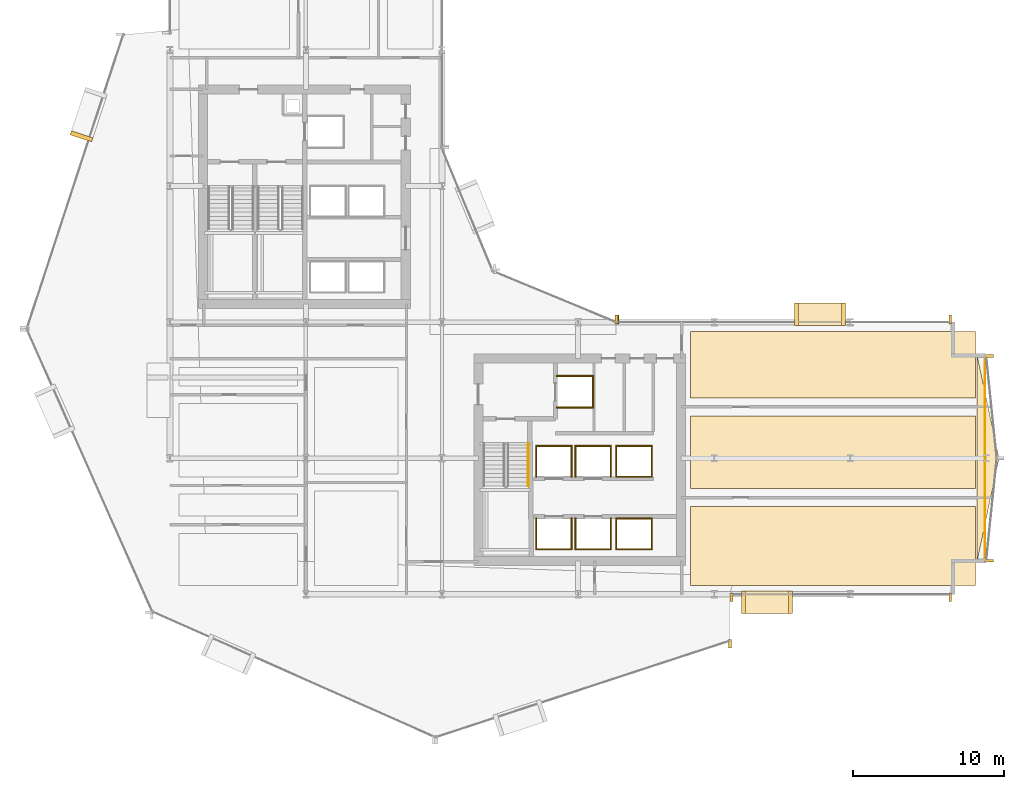
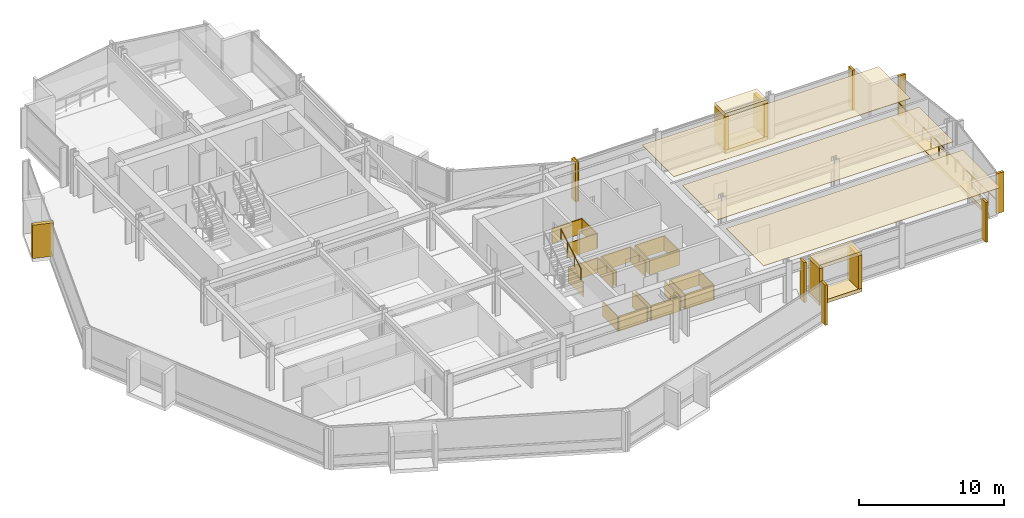
# One storey, part 32 of 34: 44 coverings, 2 railings.
"""IFC4 building model written with IfcOpenShell, lengths in metres."""

from ifc_helpers import new_model, si_unit, direction, frame, origin, origin_2d, place, context, subcontext, project, spatial, polyline, rectangle, circle, outline, extrude, material, layer, layer_set, type_object, element, save


model = new_model("IFC4")

# Units and contexts
model_context = context("Model", 3, precision=1e-05, world=origin(), true_north=direction((0.0, 1.0)))
body_context = subcontext(model_context, "Body", "Model", "MODEL_VIEW")
ifc_project = project(units=[si_unit("LENGTHUNIT", "METRE"), si_unit("AREAUNIT", "SQUARE_METRE"), si_unit("VOLUMEUNIT", "CUBIC_METRE"), si_unit("PLANEANGLEUNIT", "RADIAN"), si_unit("MASSUNIT", "GRAM", prefix="KILO")], contexts=[model_context])

# Site, building, storey
site_placement = place(None, origin())
site = spatial("IfcSite", under=ifc_project, at=site_placement, CompositionType="ELEMENT")
building_placement = place(site_placement, origin())
building = spatial("IfcBuilding", under=site, at=building_placement, Name="Solvaryn Broadcast Tower", CompositionType="ELEMENT")
storey_placement = place(building_placement, frame((0.0, 0.0, 96.5)))
storey = spatial("IfcBuildingStorey", under=building, at=storey_placement, Name="L23", CompositionType="ELEMENT", Elevation=96.5)

# Coverings
ifc_material_1 = material(Name="Micro-Perforated Acoustic Gypsum Ceiling", Category="concrete")
ifc_layer_1 = layer(ifc_material_1, 0.0400390625)
ifc_layer_set_1 = layer_set([ifc_layer_1], Name="CV-CEIL-ACOUSTIC")
covering_type_1 = type_object("IfcCoveringType", Name="CV-CEIL-ACOUSTIC", PredefinedType="CEILING", material=ifc_layer_set_1)
covering_1_placement = place(storey_placement, frame((0.0, 0.0, 3.330078125)))
element("IfcCovering", 1, at=covering_1_placement, inside=storey, type_object=covering_type_1, Name="L23 Room Acoustic Ceiling 10", PredefinedType="CEILING", context=body_context, shape_type="SweptSolid", body=[
    extrude(outline(polyline([(43.449951171875, 9.60009765625), (62.300048828125, 9.60009765625), (62.300048828125, 14.800048828125), (43.449951171875, 14.800048828125), (43.449951171875, 9.60009765625)])), origin(), (0.0, 0.0, 1.0), 0.0400390625),
])
covering_2_placement = place(storey_placement, frame((0.0, 0.0, 3.330078125)))
element("IfcCovering", 2, at=covering_2_placement, inside=storey, type_object=covering_type_1, Name="L23 Room Acoustic Ceiling 11", PredefinedType="CEILING", context=body_context, shape_type="SweptSolid", body=[
    extrude(outline(polyline([(43.449951171875, 16.0), (62.300048828125, 16.0), (62.300048828125, 20.800048828125), (43.449951171875, 20.800048828125), (43.449951171875, 16.0)])), origin(), (0.0, 0.0, 1.0), 0.0400390625),
])
covering_3_placement = place(storey_placement, frame((0.0, 0.0, 3.330078125)))
element("IfcCovering", 3, at=covering_3_placement, inside=storey, type_object=covering_type_1, Name="L23 Room Acoustic Ceiling 12", PredefinedType="CEILING", context=body_context, shape_type="SweptSolid", body=[
    extrude(outline(polyline([(43.449951171875, 22.0), (62.300048828125, 22.0), (62.300048828125, 26.39990234375), (43.449951171875, 26.39990234375), (43.449951171875, 22.0)])), origin(), (0.0, 0.0, 1.0), 0.0400390625),
])
ifc_material_2 = material(Name="Fire-Rated Gypsum Shaftwall Liner", Category="concrete")
ifc_layer_2 = layer(ifc_material_2, 0.080078125)
ifc_layer_set_2 = layer_set([ifc_layer_2], Name="CV-SHAFT-LINER")
covering_type_2 = type_object("IfcCoveringType", Name="CV-SHAFT-LINER", PredefinedType="CLADDING", material=ifc_layer_set_2)
for number, where, z_axis, x_axis, name in (
    (4, (35.800048828125, 23.43994140625, 0.0), (0.0, 0.0, 1.0), (1.0, 0.0, 0.0), "L23 FL2 Hoistway Shaft Liner North"),
    (5, (35.800048828125, 21.360107421875, 0.0), (0.0, 0.0, 1.0), (1.0, 0.0, 0.0), "L23 FL2 Hoistway Shaft Liner South"),
):
    element("IfcCovering", number, at=place(storey_placement, frame(where, z_axis=z_axis, x_axis=x_axis)), inside=storey, type_object=covering_type_2, Name=name, PredefinedType="CLADDING", context=body_context, shape_type="SweptSolid", body=[
        extrude(rectangle(XDim=2.4599609375, YDim=0.080078125, at=origin_2d()), origin(), (0.0, 0.0, 1.0), 1.25),
    ])
covering_4_placement = place(storey_placement, frame((36.989990234375, 22.39990234375, 0.0), z_axis=(0.0, 0.0, 1.0), x_axis=(1.0, 0.0, 0.0)))
element("IfcCovering", 6, at=covering_4_placement, inside=storey, type_object=covering_type_2, Name="L23 FL2 Hoistway Shaft Liner East", PredefinedType="CLADDING", context=body_context, shape_type="SweptSolid", body=[
    extrude(rectangle(XDim=0.080078125, YDim=2.159912109375, at=origin_2d()), origin(), (0.0, 0.0, 1.0), 1.25),
])
covering_5_placement = place(storey_placement, frame((34.39990234375, 11.985107421875, 0.0), z_axis=(0.0, 0.0, 1.0), x_axis=(1.0, 0.0, 0.0)))
element("IfcCovering", 7, at=covering_5_placement, inside=storey, type_object=covering_type_2, Name="L23 PL1 Hoistway Shaft Liner South", PredefinedType="CLADDING", context=body_context, shape_type="SweptSolid", body=[
    extrude(rectangle(XDim=2.409912109375, YDim=0.080078125, at=origin_2d()), origin(), (0.0, 0.0, 1.0), 1.25),
])
for number, where, z_axis, x_axis, name in (
    (8, (35.56494140625, 13.0, 0.0), (0.0, 0.0, 1.0), (1.0, 0.0, 0.0), "L23 PL1 Hoistway Shaft Liner East"),
    (9, (33.235107421875, 13.0, 0.0), (0.0, 0.0, 1.0), (1.0, 0.0, 0.0), "L23 PL1 Hoistway Shaft Liner West"),
):
    element("IfcCovering", number, at=place(storey_placement, frame(where, z_axis=z_axis, x_axis=x_axis)), inside=storey, type_object=covering_type_2, Name=name, PredefinedType="CLADDING", context=body_context, shape_type="SweptSolid", body=[
        extrude(rectangle(XDim=0.080078125, YDim=2.110107421875, at=origin_2d()), origin(), (0.0, 0.0, 1.0), 1.25),
    ])
covering_6_placement = place(storey_placement, frame((37.0, 11.985107421875, 0.0), z_axis=(0.0, 0.0, 1.0), x_axis=(1.0, 0.0, 0.0)))
element("IfcCovering", 10, at=covering_6_placement, inside=storey, type_object=covering_type_2, Name="L23 PL2 Hoistway Shaft Liner South", PredefinedType="CLADDING", context=body_context, shape_type="SweptSolid", body=[
    extrude(rectangle(XDim=2.409912109375, YDim=0.080078125, at=origin_2d()), origin(), (0.0, 0.0, 1.0), 1.25),
])
for number, where, z_axis, x_axis, name in (
    (11, (38.1650390625, 13.0, 0.0), (0.0, 0.0, 1.0), (1.0, 0.0, 0.0), "L23 PL2 Hoistway Shaft Liner East"),
    (12, (35.8349609375, 13.0, 0.0), (0.0, 0.0, 1.0), (1.0, 0.0, 0.0), "L23 PL2 Hoistway Shaft Liner West"),
):
    element("IfcCovering", number, at=place(storey_placement, frame(where, z_axis=z_axis, x_axis=x_axis)), inside=storey, type_object=covering_type_2, Name=name, PredefinedType="CLADDING", context=body_context, shape_type="SweptSolid", body=[
        extrude(rectangle(XDim=0.080078125, YDim=2.110107421875, at=origin_2d()), origin(), (0.0, 0.0, 1.0), 1.25),
    ])
covering_7_placement = place(storey_placement, frame((34.39990234375, 18.81494140625, 0.0), z_axis=(0.0, 0.0, 1.0), x_axis=(1.0, 0.0, 0.0)))
element("IfcCovering", 13, at=covering_7_placement, inside=storey, type_object=covering_type_2, Name="L23 PL3 Hoistway Shaft Liner North", PredefinedType="CLADDING", context=body_context, shape_type="SweptSolid", body=[
    extrude(rectangle(XDim=2.409912109375, YDim=0.080078125, at=origin_2d()), origin(), (0.0, 0.0, 1.0), 1.25),
])
for number, where, z_axis, x_axis, name in (
    (14, (35.56494140625, 17.800048828125, 0.0), (0.0, 0.0, 1.0), (1.0, 0.0, 0.0), "L23 PL3 Hoistway Shaft Liner East"),
    (15, (33.235107421875, 17.800048828125, 0.0), (0.0, 0.0, 1.0), (1.0, 0.0, 0.0), "L23 PL3 Hoistway Shaft Liner West"),
):
    element("IfcCovering", number, at=place(storey_placement, frame(where, z_axis=z_axis, x_axis=x_axis)), inside=storey, type_object=covering_type_2, Name=name, PredefinedType="CLADDING", context=body_context, shape_type="SweptSolid", body=[
        extrude(rectangle(XDim=0.080078125, YDim=2.110107421875, at=origin_2d()), origin(), (0.0, 0.0, 1.0), 1.25),
    ])
covering_8_placement = place(storey_placement, frame((37.0, 18.81494140625, 0.0), z_axis=(0.0, 0.0, 1.0), x_axis=(1.0, 0.0, 0.0)))
element("IfcCovering", 16, at=covering_8_placement, inside=storey, type_object=covering_type_2, Name="L23 PL4 Hoistway Shaft Liner North", PredefinedType="CLADDING", context=body_context, shape_type="SweptSolid", body=[
    extrude(rectangle(XDim=2.409912109375, YDim=0.080078125, at=origin_2d()), origin(), (0.0, 0.0, 1.0), 1.25),
])
for number, where, z_axis, x_axis, name in (
    (17, (38.1650390625, 17.800048828125, 0.0), (0.0, 0.0, 1.0), (1.0, 0.0, 0.0), "L23 PL4 Hoistway Shaft Liner East"),
    (18, (35.8349609375, 17.800048828125, 0.0), (0.0, 0.0, 1.0), (1.0, 0.0, 0.0), "L23 PL4 Hoistway Shaft Liner West"),
):
    element("IfcCovering", number, at=place(storey_placement, frame(where, z_axis=z_axis, x_axis=x_axis)), inside=storey, type_object=covering_type_2, Name=name, PredefinedType="CLADDING", context=body_context, shape_type="SweptSolid", body=[
        extrude(rectangle(XDim=0.080078125, YDim=2.110107421875, at=origin_2d()), origin(), (0.0, 0.0, 1.0), 1.25),
    ])
for number, where, z_axis, x_axis, name in (
    (19, (39.699951171875, 14.014892578125, 0.0), (0.0, 0.0, 1.0), (1.0, 0.0, 0.0), "L23 PM1 Hoistway Shaft Liner North"),
    (20, (39.699951171875, 11.985107421875, 0.0), (0.0, 0.0, 1.0), (1.0, 0.0, 0.0), "L23 PM1 Hoistway Shaft Liner South"),
):
    element("IfcCovering", number, at=place(storey_placement, frame(where, z_axis=z_axis, x_axis=x_axis)), inside=storey, type_object=covering_type_2, Name=name, PredefinedType="CLADDING", context=body_context, shape_type="SweptSolid", body=[
        extrude(rectangle(XDim=2.409912109375, YDim=0.080078125, at=origin_2d()), origin(), (0.0, 0.0, 1.0), 1.25),
    ])
for number, where, z_axis, x_axis, name in (
    (21, (40.864990234375, 13.0, 0.0), (0.0, 0.0, 1.0), (1.0, 0.0, 0.0), "L23 PM1 Hoistway Shaft Liner East"),
    (22, (38.534912109375, 13.0, 0.0), (0.0, 0.0, 1.0), (1.0, 0.0, 0.0), "L23 PM1 Hoistway Shaft Liner West"),
):
    element("IfcCovering", number, at=place(storey_placement, frame(where, z_axis=z_axis, x_axis=x_axis)), inside=storey, type_object=covering_type_2, Name=name, PredefinedType="CLADDING", context=body_context, shape_type="SweptSolid", body=[
        extrude(rectangle(XDim=0.080078125, YDim=2.110107421875, at=origin_2d()), origin(), (0.0, 0.0, 1.0), 1.25),
    ])
for number, where, z_axis, x_axis, name in (
    (23, (39.699951171875, 18.81494140625, 0.0), (0.0, 0.0, 1.0), (1.0, 0.0, 0.0), "L23 PM2 Hoistway Shaft Liner North"),
    (24, (39.699951171875, 16.784912109375, 0.0), (0.0, 0.0, 1.0), (1.0, 0.0, 0.0), "L23 PM2 Hoistway Shaft Liner South"),
):
    element("IfcCovering", number, at=place(storey_placement, frame(where, z_axis=z_axis, x_axis=x_axis)), inside=storey, type_object=covering_type_2, Name=name, PredefinedType="CLADDING", context=body_context, shape_type="SweptSolid", body=[
        extrude(rectangle(XDim=2.409912109375, YDim=0.080078125, at=origin_2d()), origin(), (0.0, 0.0, 1.0), 1.25),
    ])
for number, where, z_axis, x_axis, name in (
    (25, (40.864990234375, 17.800048828125, 0.0), (0.0, 0.0, 1.0), (1.0, 0.0, 0.0), "L23 PM2 Hoistway Shaft Liner East"),
    (26, (38.534912109375, 17.800048828125, 0.0), (0.0, 0.0, 1.0), (1.0, 0.0, 0.0), "L23 PM2 Hoistway Shaft Liner West"),
):
    element("IfcCovering", number, at=place(storey_placement, frame(where, z_axis=z_axis, x_axis=x_axis)), inside=storey, type_object=covering_type_2, Name=name, PredefinedType="CLADDING", context=body_context, shape_type="SweptSolid", body=[
        extrude(rectangle(XDim=0.080078125, YDim=2.110107421875, at=origin_2d()), origin(), (0.0, 0.0, 1.0), 1.25),
    ])
ifc_material_3 = material(Name="Glazed Architectural Terracotta Rainscreen Cladding", Category="masonry")
ifc_layer_3 = layer(ifc_material_3, 0.280029296875)
ifc_layer_set_3 = layer_set([ifc_layer_3], Name="CV-TC-CLAD")
covering_type_3 = type_object("IfcCoveringType", Name="CV-TC-CLAD", PredefinedType="CLADDING", material=ifc_layer_set_3)
covering_9_placement = place(storey_placement, frame((3.155517578125, 39.298095703125, 0.280029296875), z_axis=(0.0, 0.0, 1.0), x_axis=(-0.311671636848, -0.950189870912, 0.0)))
element("IfcCovering", 27, at=covering_9_placement, inside=storey, type_object=covering_type_3, Name="L23 Projecting Stone Window Box Cheek 1-2", PredefinedType="CLADDING", context=body_context, shape_type="SweptSolid", body=[
    extrude(rectangle(XDim=0.280029296875, YDim=1.5, at=origin_2d()), origin(), (0.0, 0.0, 1.0), 2.81005859375),
])
for number, where, z_axis, x_axis, name in (
    (28, (48.5, 8.469970703125, 3.080078125), (0.0, 0.0, 1.0), (1.0, 0.0, 0.0), "L23 Projecting Stone Window Box Hood 6"),
    (29, (48.5, 8.469970703125, -0.01025390625), (0.0, 0.0, 1.0), (1.0, 0.0, 0.0), "L23 Projecting Stone Window Box Sill 6"),
):
    element("IfcCovering", number, at=place(storey_placement, frame(where, z_axis=z_axis, x_axis=x_axis)), inside=storey, type_object=covering_type_3, Name=name, PredefinedType="CLADDING", context=body_context, shape_type="SweptSolid", body=[
        extrude(rectangle(XDim=3.39990234375, YDim=1.5, at=origin_2d()), origin(), (0.0, 0.0, 1.0), 0.300048828125),
    ])
for number, where, z_axis, x_axis, name in (
    (30, (46.93994140625, 8.469970703125, 0.280029296875), (0.0, 0.0, 1.0), (1.0, 0.0, 0.0), "L23 Projecting Stone Window Box Cheek 6-1"),
    (31, (50.06005859375, 8.469970703125, 0.280029296875), (0.0, 0.0, 1.0), (1.0, 0.0, 0.0), "L23 Projecting Stone Window Box Cheek 6-2"),
):
    element("IfcCovering", number, at=place(storey_placement, frame(where, z_axis=z_axis, x_axis=x_axis)), inside=storey, type_object=covering_type_3, Name=name, PredefinedType="CLADDING", context=body_context, shape_type="SweptSolid", body=[
        extrude(rectangle(XDim=0.280029296875, YDim=1.5, at=origin_2d()), origin(), (0.0, 0.0, 1.0), 2.81005859375),
    ])
for number, where, z_axis, x_axis, name in (
    (32, (52.0, 27.530029296875, 3.080078125), (0.0, 0.0, 1.0), (1.0, 0.0, 0.0), "L23 Projecting Stone Window Box Hood 7"),
    (33, (52.0, 27.530029296875, -0.01025390625), (0.0, 0.0, 1.0), (1.0, 0.0, 0.0), "L23 Projecting Stone Window Box Sill 7"),
):
    element("IfcCovering", number, at=place(storey_placement, frame(where, z_axis=z_axis, x_axis=x_axis)), inside=storey, type_object=covering_type_3, Name=name, PredefinedType="CLADDING", context=body_context, shape_type="SweptSolid", body=[
        extrude(rectangle(XDim=3.39990234375, YDim=1.5, at=origin_2d()), origin(), (0.0, 0.0, 1.0), 0.300048828125),
    ])
for number, where, z_axis, x_axis, name in (
    (34, (50.43994140625, 27.530029296875, 0.280029296875), (0.0, 0.0, 1.0), (1.0, 0.0, 0.0), "L23 Projecting Stone Window Box Cheek 7-1"),
    (35, (53.56005859375, 27.530029296875, 0.280029296875), (0.0, 0.0, 1.0), (1.0, 0.0, 0.0), "L23 Projecting Stone Window Box Cheek 7-2"),
):
    element("IfcCovering", number, at=place(storey_placement, frame(where, z_axis=z_axis, x_axis=x_axis)), inside=storey, type_object=covering_type_3, Name=name, PredefinedType="CLADDING", context=body_context, shape_type="SweptSolid", body=[
        extrude(rectangle(XDim=0.280029296875, YDim=1.5, at=origin_2d()), origin(), (0.0, 0.0, 1.0), 2.81005859375),
    ])
ifc_material_4 = material(Name="Extruded Architectural Terracotta Fin", Category="masonry")
ifc_layer_4 = layer(ifc_material_4, 0.179931640625)
ifc_layer_set_4 = layer_set([ifc_layer_4], Name="CV-TC-FIN")
covering_type_4 = type_object("IfcCoveringType", Name="CV-TC-FIN", PredefinedType="USERDEFINED", material=ifc_layer_set_4)
for number, where, z_axis, x_axis, name in (
    (36, (46.043701171875, 5.735595703125, 0.0), (0.0, 0.0, 1.0), (1.0, 0.0, 0.0), "L23 Terracotta Vertical Fin FIN-L23-DR4-M01"),
    (37, (38.541259765625, 27.177978515625, 0.0), (0.0, 0.0, 1.0), (1.0, 0.0, 0.0), "L23 Terracotta Vertical Fin FIN-L23-CN1-M00"),
    (38, (46.14599609375, 8.8125, 0.0), (0.0, 0.0, 1.0), (1.0, 0.0, 0.0), "L23 Terracotta Vertical Fin FIN-L23-S2-M00"),
    (39, (60.6201171875, 8.8125, 0.0), (0.0, 0.0, 1.0), (1.0, 0.0, 0.0), "L23 Terracotta Vertical Fin FIN-L23-S2-M01"),
):
    element("IfcCovering", number, at=place(storey_placement, frame(where, z_axis=z_axis, x_axis=x_axis)), inside=storey, type_object=covering_type_4, Name=name, ObjectType="FIN", PredefinedType="USERDEFINED", context=body_context, shape_type="SweptSolid", body=[
        extrude(rectangle(XDim=0.179931640625, YDim=0.580078125, at=origin_2d()), origin(), (0.0, 0.0, 1.0), 3.3701171875),
    ])
for number, where, z_axis, x_axis, name in (
    (40, (63.190673828125, 24.770263671875, 0.0), (0.0, 0.0, 1.0), (1.0, 0.0, 0.0), "L23 Terracotta Vertical Fin FIN-L23-ET1-M00"),
    (41, (63.190673828125, 11.229736328125, 0.0), (0.0, 0.0, 1.0), (1.0, 0.0, 0.0), "L23 Terracotta Vertical Fin FIN-L23-ET2-M01"),
):
    element("IfcCovering", number, at=place(storey_placement, frame(where, z_axis=z_axis, x_axis=x_axis)), inside=storey, type_object=covering_type_4, Name=name, ObjectType="FIN", PredefinedType="USERDEFINED", context=body_context, shape_type="SweptSolid", body=[
        extrude(rectangle(XDim=0.580078125, YDim=0.179931640625, at=origin_2d()), origin(), (0.0, 0.0, 1.0), 3.3701171875),
    ])
for number, where, z_axis, x_axis, name in (
    (42, (38.6298828125, 27.1875, 0.0), (0.0, 0.0, 1.0), (1.0, 0.0, 0.0), "L23 Terracotta Vertical Fin FIN-L23-IH-M00"),
    (43, (60.6201171875, 27.1875, 0.0), (0.0, 0.0, 1.0), (1.0, 0.0, 0.0), "L23 Terracotta Vertical Fin FIN-L23-IH-M01"),
):
    element("IfcCovering", number, at=place(storey_placement, frame(where, z_axis=z_axis, x_axis=x_axis)), inside=storey, type_object=covering_type_4, Name=name, ObjectType="FIN", PredefinedType="USERDEFINED", context=body_context, shape_type="SweptSolid", body=[
        extrude(rectangle(XDim=0.179931640625, YDim=0.580078125, at=origin_2d()), origin(), (0.0, 0.0, 1.0), 3.3701171875),
    ])
ifc_material_5 = material(Name="Sculpted Architectural Terracotta Wave Fascia", Category="masonry")
ifc_layer_5 = layer(ifc_material_5, 0.340087890625)
ifc_layer_set_5 = layer_set([ifc_layer_5], Name="CV-WAVE-TRAY")
covering_type_5 = type_object("IfcCoveringType", Name="CV-WAVE-TRAY", PredefinedType="CLADDING", material=ifc_layer_set_5)
covering_10_placement = place(storey_placement, frame((0.0, 0.0, -0.300048828125)))
element("IfcCovering", 44, at=covering_10_placement, inside=storey, type_object=covering_type_5, Name="L23 East Curved Wing Deck", PredefinedType="CLADDING", context=body_context, shape_type="SweptSolid", body=[
    extrude(outline(polyline([(62.39990234375, 11.199951171875), (63.85009765625, 18.0), (62.39990234375, 24.800048828125), (62.39990234375, 11.199951171875)])), origin(), (0.0, 0.0, 1.0), 0.330078125),
])

# Railings
ifc_material_6 = material(Name="Brushed Stainless Steel Tubular Handrail", Category="steel")
railing_type_1 = type_object("IfcRailingType", Name="RL-STAIR-HANDRAIL", PredefinedType="HANDRAIL", material=ifc_material_6)
railing_1_placement = place(storey_placement, frame((32.699951171875, 16.159912109375, 2.01806640625)))
element("IfcRailing", 45, at=railing_1_placement, inside=storey, type_object=railing_type_1, Name="L23 ST3 stair handrail 2", PredefinedType="HANDRAIL", context=body_context, shape_type="SweptSolid", body=[
    extrude(circle(Radius=0.02392578125, at=origin_2d()), frame((0.0, 0.0, 0.8759765625), z_axis=(0.0, 0.857242210791, 0.514913383045), x_axis=(-1.0, 0.0, 0.0)), (0.0, 0.0, 1.0), 3.266357421875),
    extrude(circle(Radius=0.02099609375, at=origin_2d()), origin(), (0.0, 0.0, 1.0), 0.851806640625),
    extrude(circle(Radius=0.02099609375, at=origin_2d()), frame((0.0, 0.933349609375, 0.560546875)), (0.0, 0.0, 1.0), 0.851806640625),
    extrude(circle(Radius=0.02099609375, at=origin_2d()), frame((0.0, 1.86669921875, 1.121337890625)), (0.0, 0.0, 1.0), 0.851806640625),
    extrude(circle(Radius=0.02099609375, at=origin_2d()), frame((0.0, 2.800048828125, 1.681884765625)), (0.0, 0.0, 1.0), 0.851806640625),
])
ifc_material_7 = material(Name="Stainless Steel and Laminated Glass Guard", Category="steel")
railing_type_2 = type_object("IfcRailingType", Name="RL-TER-1150", PredefinedType="BALUSTRADE", material=ifc_material_7)
railing_2_placement = place(storey_placement, frame((62.919921875, 11.199951171875, 0.0)))
element("IfcRailing", 46, at=railing_2_placement, inside=storey, type_object=railing_type_2, Name="L23 East Wing Spandrel Edge Guard", PredefinedType="BALUSTRADE", context=body_context, shape_type="SweptSolid", body=[
    extrude(circle(Radius=0.02392578125, at=origin_2d()), frame((0.0, 0.0, 1.1259765625), z_axis=(0.0, 1.0, 0.0), x_axis=(-1.0, 0.0, 0.0)), (0.0, 0.0, 1.0), 13.60009765625),
    extrude(circle(Radius=0.02099609375, at=origin_2d()), origin(), (0.0, 0.0, 1.0), 1.101806640625),
    extrude(circle(Radius=0.02099609375, at=origin_2d()), frame((0.0, 1.13330078125, 0.0)), (0.0, 0.0, 1.0), 1.101806640625),
    extrude(circle(Radius=0.02099609375, at=origin_2d()), frame((0.0, 2.2666015625, 0.0)), (0.0, 0.0, 1.0), 1.101806640625),
    extrude(circle(Radius=0.02099609375, at=origin_2d()), frame((0.0, 3.39990234375, 0.0)), (0.0, 0.0, 1.0), 1.101806640625),
    extrude(circle(Radius=0.02099609375, at=origin_2d()), frame((0.0, 4.533447265625, 0.0)), (0.0, 0.0, 1.0), 1.101806640625),
    extrude(circle(Radius=0.02099609375, at=origin_2d()), frame((0.0, 5.666748046875, 0.0)), (0.0, 0.0, 1.0), 1.101806640625),
    extrude(circle(Radius=0.02099609375, at=origin_2d()), frame((0.0, 6.800048828125, 0.0)), (0.0, 0.0, 1.0), 1.101806640625),
    extrude(circle(Radius=0.02099609375, at=origin_2d()), frame((0.0, 7.933349609375, 0.0)), (0.0, 0.0, 1.0), 1.101806640625),
    extrude(circle(Radius=0.02099609375, at=origin_2d()), frame((0.0, 9.066650390625, 0.0)), (0.0, 0.0, 1.0), 1.101806640625),
    extrude(circle(Radius=0.02099609375, at=origin_2d()), frame((0.0, 10.2001953125, 0.0)), (0.0, 0.0, 1.0), 1.101806640625),
    extrude(circle(Radius=0.02099609375, at=origin_2d()), frame((0.0, 11.33349609375, 0.0)), (0.0, 0.0, 1.0), 1.101806640625),
    extrude(circle(Radius=0.02099609375, at=origin_2d()), frame((0.0, 12.466796875, 0.0)), (0.0, 0.0, 1.0), 1.101806640625),
    extrude(circle(Radius=0.02099609375, at=origin_2d()), frame((0.0, 13.60009765625, 0.0)), (0.0, 0.0, 1.0), 1.101806640625),
])

save(model, "model.ifc")
